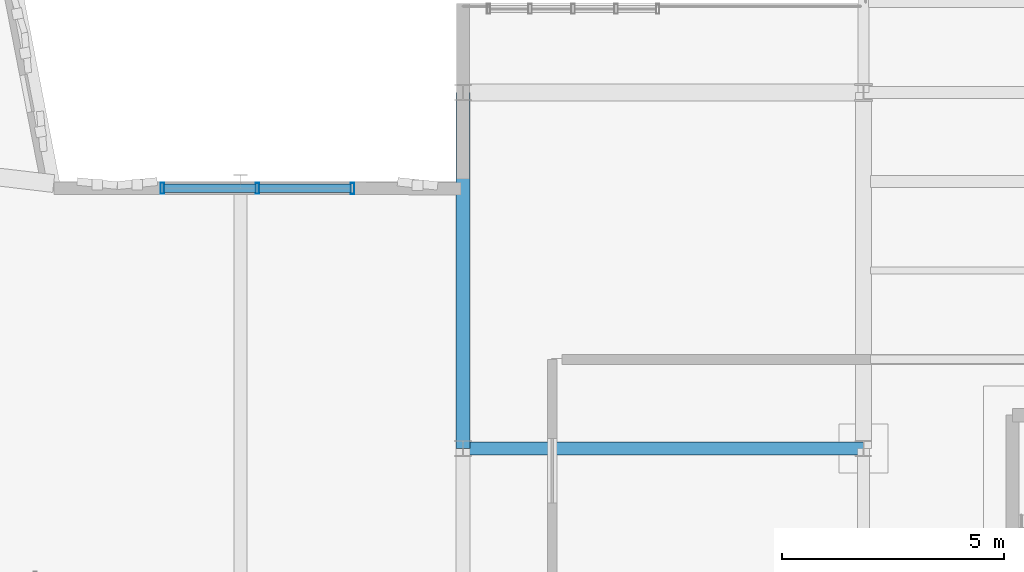
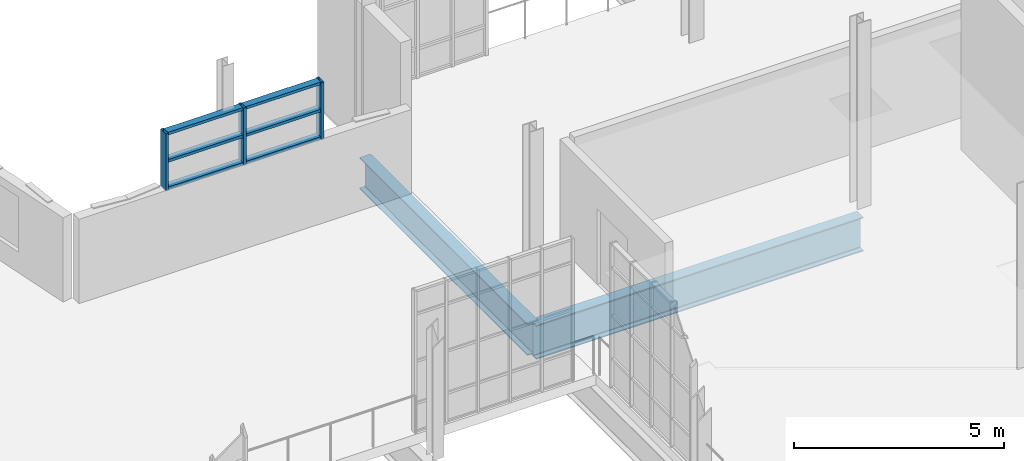
# One storey, part 36 of 142: 9 members, 2 beams, 1 element without a shape of its own.
"""IFC4 building model written with IfcOpenShell, lengths in metres."""

from ifc_helpers import new_model, si_unit, direction, frame, origin, origin_2d, place, context, subcontext, project, spatial, hollow_rectangle, i_section, extrude, material, layer, layer_set, material_profile, profile_set, type_object, element, aggregate, save


model = new_model("IFC4")

# Units and contexts
model_context = context("Model", 3, precision=1e-05, world=origin(), true_north=direction((0.0, 1.0)))
body_context = subcontext(model_context, "Body", "Model", "MODEL_VIEW")
ifc_project = project(units=[si_unit("LENGTHUNIT", "METRE"), si_unit("AREAUNIT", "SQUARE_METRE"), si_unit("VOLUMEUNIT", "CUBIC_METRE"), si_unit("PLANEANGLEUNIT", "RADIAN"), si_unit("MASSUNIT", "GRAM", prefix="KILO"), si_unit("THERMODYNAMICTEMPERATUREUNIT", "KELVIN"), si_unit("POWERUNIT", "WATT")], contexts=[model_context])

# Site, building, storey
site_placement = place(None, origin())
site = spatial("IfcSite", under=ifc_project, at=site_placement, CompositionType="ELEMENT")
building_placement = place(site_placement, origin())
building = spatial("IfcBuilding", under=site, at=building_placement, Name="Zelmaris Science Centre", CompositionType="ELEMENT")
storey_placement = place(building_placement, frame((0.0, 0.0, 5.39990234375)))
storey = spatial("IfcBuildingStorey", under=building, at=storey_placement, Name="L01", CompositionType="ELEMENT", Elevation=5.39990234375)

# Curtain wall, members
ifc_material_1 = material(Name="Anodised architectural aluminium 6063-T6", Category="aluminium")
ifc_layer = layer(ifc_material_1, 0.18994140625, Name="Anodised architectural aluminium 6063-T6")
ifc_layer_set = layer_set([ifc_layer], Name="Anodised architectural aluminium 6063-T6")
curtain_wall_type = type_object("IfcCurtainWallType", Name="Curtain Wall CW-01", PredefinedType="USERDEFINED", material=ifc_layer_set)
curtain_wall_placement = place(storey_placement, origin())
curtain_wall = element("IfcCurtainWall", 1, at=curtain_wall_placement, inside=storey, type_object=curtain_wall_type, Name="L01 Clerestory curtain wall 177", ObjectType="GLAZED CURTAIN WALL", PredefinedType="USERDEFINED")
ifc_material_profile_1 = material_profile(ifc_material_1, hollow_rectangle(XDim=0.080078125, YDim=0.25, WallThickness=0.0048828125, at=origin_2d()), Name="ALU-MUL-80X250")
ifc_profile_set_1 = profile_set([ifc_material_profile_1], Name="Anodised architectural aluminium 6063-T6")
member_type_1 = type_object("IfcMemberType", Name="ALU-MUL-80X250", PredefinedType="MULLION", material=ifc_profile_set_1)
member_1_placement = place(storey_placement, frame((101.2431640625, 29.847900390625, 2.420166015625), z_axis=(0.0, 0.0, 1.0), x_axis=(0.999999513793, -0.000986110868, 0.0)))
member_1 = element("IfcMember", 2, at=member_1_placement, type_object=member_type_1, Name="CW-01 mullion 1", PredefinedType="MULLION", context=body_context, shape_type="SweptSolid", body=[
    extrude(hollow_rectangle(XDim=0.080078125, YDim=0.25, WallThickness=0.0048828125, at=origin_2d()), origin(), (0.0, 0.0, 1.0), 1.662841796875),
])
member_2_placement = place(storey_placement, frame((103.37939453125, 29.845703125, 2.420166015625), z_axis=(0.0, 0.0, 1.0), x_axis=(0.999999513793, -0.000986110868, 0.0)))
member_2 = element("IfcMember", 3, at=member_2_placement, type_object=member_type_1, Name="CW-01 mullion 2", PredefinedType="MULLION", context=body_context, shape_type="SweptSolid", body=[
    extrude(hollow_rectangle(XDim=0.080078125, YDim=0.25, WallThickness=0.0048828125, at=origin_2d()), origin(), (0.0, 0.0, 1.0), 1.662841796875),
])
member_3_placement = place(storey_placement, frame((105.515625, 29.843505859375, 2.420166015625), z_axis=(0.0, 0.0, 1.0), x_axis=(0.999999513793, -0.000986110868, 0.0)))
member_3 = element("IfcMember", 4, at=member_3_placement, type_object=member_type_1, Name="CW-01 mullion 3", PredefinedType="MULLION", context=body_context, shape_type="SweptSolid", body=[
    extrude(hollow_rectangle(XDim=0.080078125, YDim=0.25, WallThickness=0.0048828125, at=origin_2d()), origin(), (0.0, 0.0, 1.0), 1.662841796875),
])
ifc_material_profile_2 = material_profile(ifc_material_1, hollow_rectangle(XDim=0.080078125, YDim=0.18994140625, WallThickness=0.00439453125, at=origin_2d()), Name="ALU-TRN-80X190")
ifc_profile_set_2 = profile_set([ifc_material_profile_2], Name="Anodised architectural aluminium 6063-T6")
member_type_2 = type_object("IfcMemberType", Name="ALU-TRN-80X190", PredefinedType="USERDEFINED", material=ifc_profile_set_2)
member_4_placement = place(storey_placement, frame((101.279052734375, 29.84765625, 2.4560546875), z_axis=(0.999999552367, -0.000946185265, 0.0), x_axis=(0.0, 0.0, 1.0)))
member_4 = element("IfcMember", 5, at=member_4_placement, type_object=member_type_2, Name="CW-01 transom 1.1", ObjectType="TRANSOM", PredefinedType="USERDEFINED", context=body_context, shape_type="SweptSolid", body=[
    extrude(hollow_rectangle(XDim=0.080078125, YDim=0.18994140625, WallThickness=0.00439453125, at=origin_2d()), origin(), (0.0, 0.0, 1.0), 2.064208984375),
])
member_5_placement = place(storey_placement, frame((101.279052734375, 29.84765625, 3.251708984375), z_axis=(0.999999552367, -0.000946185265, 0.0), x_axis=(0.0, 0.0, 1.0)))
member_5 = element("IfcMember", 6, at=member_5_placement, type_object=member_type_2, Name="CW-01 transom 1.2", ObjectType="TRANSOM", PredefinedType="USERDEFINED", context=body_context, shape_type="SweptSolid", body=[
    extrude(hollow_rectangle(XDim=0.080078125, YDim=0.18994140625, WallThickness=0.00439453125, at=origin_2d()), origin(), (0.0, 0.0, 1.0), 2.064208984375),
])
member_6_placement = place(storey_placement, frame((101.279052734375, 29.84765625, 4.047119140625), z_axis=(0.999999552367, -0.000946185265, 0.0), x_axis=(0.0, 0.0, 1.0)))
member_6 = element("IfcMember", 7, at=member_6_placement, type_object=member_type_2, Name="CW-01 transom 1.3", ObjectType="TRANSOM", PredefinedType="USERDEFINED", context=body_context, shape_type="SweptSolid", body=[
    extrude(hollow_rectangle(XDim=0.080078125, YDim=0.18994140625, WallThickness=0.00439453125, at=origin_2d()), origin(), (0.0, 0.0, 1.0), 2.064208984375),
])
member_7_placement = place(storey_placement, frame((103.415283203125, 29.845703125, 2.4560546875), z_axis=(0.999999433464, -0.001064458297, 0.0), x_axis=(0.0, 0.0, 1.0)))
member_7 = element("IfcMember", 8, at=member_7_placement, type_object=member_type_2, Name="CW-01 transom 2.1", ObjectType="TRANSOM", PredefinedType="USERDEFINED", context=body_context, shape_type="SweptSolid", body=[
    extrude(hollow_rectangle(XDim=0.080078125, YDim=0.18994140625, WallThickness=0.00439453125, at=origin_2d()), origin(), (0.0, 0.0, 1.0), 2.064208984375),
])
member_8_placement = place(storey_placement, frame((103.415283203125, 29.845703125, 3.251708984375), z_axis=(0.999999433464, -0.001064458297, 0.0), x_axis=(0.0, 0.0, 1.0)))
member_8 = element("IfcMember", 9, at=member_8_placement, type_object=member_type_2, Name="CW-01 transom 2.2", ObjectType="TRANSOM", PredefinedType="USERDEFINED", context=body_context, shape_type="SweptSolid", body=[
    extrude(hollow_rectangle(XDim=0.080078125, YDim=0.18994140625, WallThickness=0.00439453125, at=origin_2d()), origin(), (0.0, 0.0, 1.0), 2.064208984375),
])
member_9_placement = place(storey_placement, frame((103.415283203125, 29.845703125, 4.047119140625), z_axis=(0.999999433464, -0.001064458297, 0.0), x_axis=(0.0, 0.0, 1.0)))
member_9 = element("IfcMember", 10, at=member_9_placement, type_object=member_type_2, Name="CW-01 transom 2.3", ObjectType="TRANSOM", PredefinedType="USERDEFINED", context=body_context, shape_type="SweptSolid", body=[
    extrude(hollow_rectangle(XDim=0.080078125, YDim=0.18994140625, WallThickness=0.00439453125, at=origin_2d()), origin(), (0.0, 0.0, 1.0), 2.064208984375),
])
aggregate(curtain_wall, [member_1, member_2, member_3, member_4, member_5, member_6, member_7, member_8, member_9])

# Beams
ifc_material_2 = material(Name="Steel ASTM A992 Grade 50", Category="steel")
ifc_material_profile_3 = material_profile(ifc_material_2, i_section(OverallWidth=0.300048828125, OverallDepth=0.990966796875, WebThickness=0.0166015625, FlangeThickness=0.030517578125, FilletRadius=0.02490234375, at=origin_2d()), Name="W40X183")
ifc_profile_set_3 = profile_set([ifc_material_profile_3], Name="Steel ASTM A992 Grade 50")
beam_type_1 = type_object("IfcBeamType", Name="Beam G-24 W40X183", PredefinedType="BEAM", material=ifc_profile_set_3)
beam_1_placement = place(storey_placement, frame((108.0, 24.0, -0.79541015625), z_axis=(1.0, 0.0, 0.0), x_axis=(0.0, 1.0, 0.0)))
element("IfcBeam", 11, at=beam_1_placement, inside=storey, type_object=beam_type_1, Name="L01 East-west girder 354", PredefinedType="BEAM", context=body_context, shape_type="SweptSolid", body=[
    extrude(i_section(OverallWidth=0.300048828125, OverallDepth=0.990966796875, WebThickness=0.0166015625, FlangeThickness=0.030517578125, FilletRadius=0.02490234375, at=origin_2d()), origin(), (0.0, 0.0, 1.0), 9.0),
])
ifc_material_profile_4 = material_profile(ifc_material_2, i_section(OverallWidth=0.304931640625, OverallDepth=0.912109375, WebThickness=0.015869140625, FlangeThickness=0.02392578125, FilletRadius=0.02392578125, at=origin_2d()), Name="W36X150")
ifc_profile_set_4 = profile_set([ifc_material_profile_4], Name="Steel ASTM A992 Grade 50")
beam_type_2 = type_object("IfcBeamType", Name="Beam G-27 W36X150", PredefinedType="BEAM", material=ifc_profile_set_4)
beam_2_placement = place(storey_placement, frame((108.0, 24.0, -0.755859375), z_axis=(0.0, 1.0, 0.0), x_axis=(-1.0, 0.0, 0.0)))
element("IfcBeam", 12, at=beam_2_placement, inside=storey, type_object=beam_type_2, Name="L01 North-south girder 295", PredefinedType="BEAM", context=body_context, shape_type="SweptSolid", body=[
    extrude(i_section(OverallWidth=0.304931640625, OverallDepth=0.912109375, WebThickness=0.015869140625, FlangeThickness=0.02392578125, FilletRadius=0.02392578125, at=origin_2d()), origin(), (0.0, 0.0, 1.0), 8.0),
])

save(model, "model.ifc")
